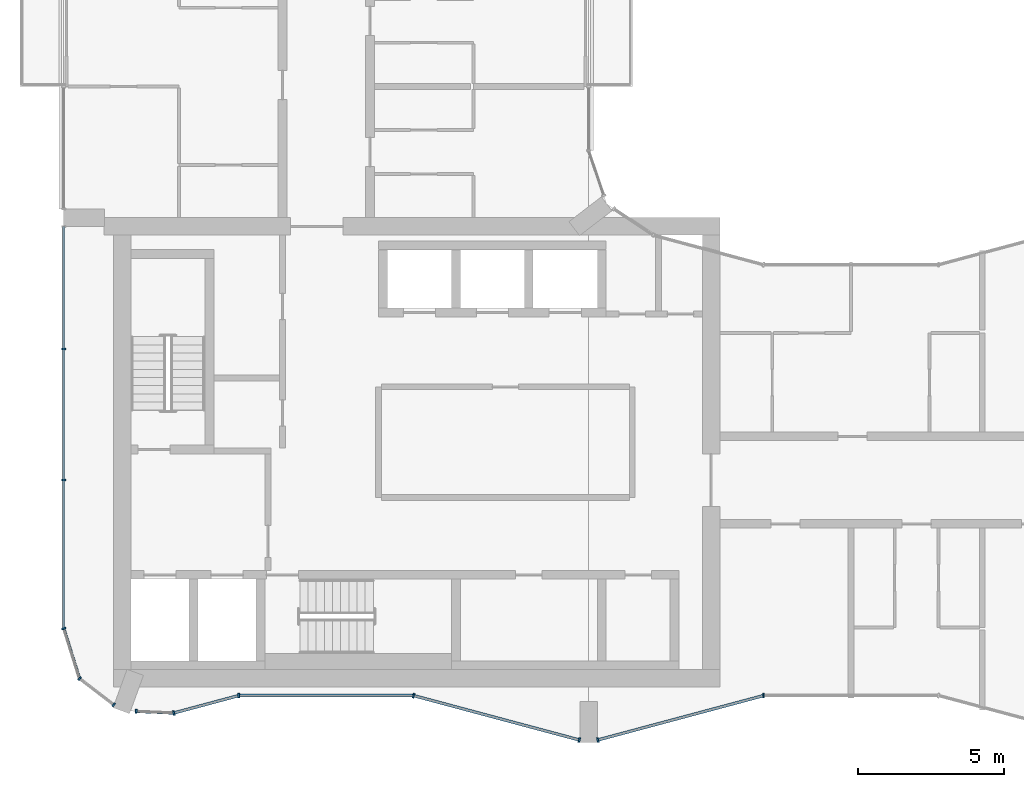
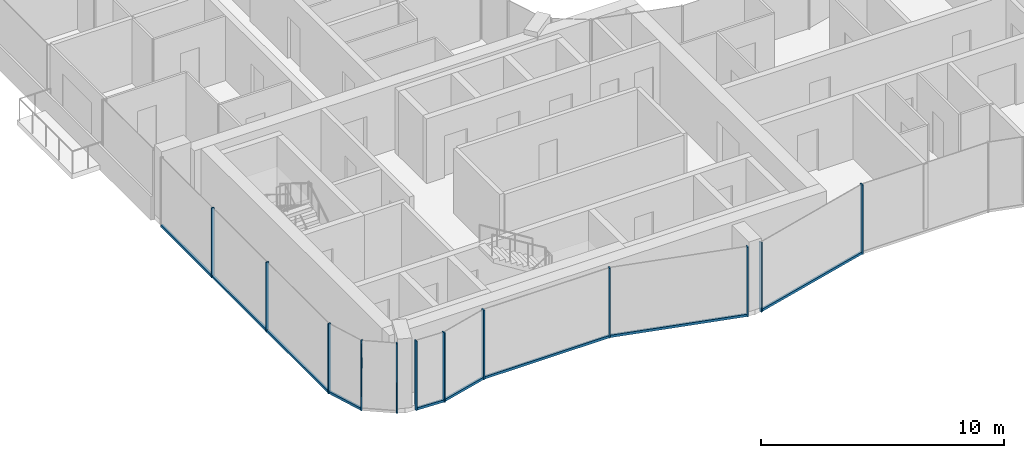
# One storey, part 2 of 17: 19 members, 9 elements without a shape of their own.
"""IFC4 building model written with IfcOpenShell, lengths in metres."""

from ifc_helpers import new_model, si_unit, direction, frame, origin, origin_2d, place, context, subcontext, project, spatial, rectangle, extrude, material, layer, layer_set, material_profile, profile_set, type_object, element, aggregate, save


model = new_model("IFC4")

# Units and contexts
model_context = context("Model", 3, precision=1e-05, world=origin(), true_north=direction((0.0, 1.0)))
body_context = subcontext(model_context, "Body", "Model", "MODEL_VIEW")
ifc_project = project(units=[si_unit("LENGTHUNIT", "METRE"), si_unit("AREAUNIT", "SQUARE_METRE"), si_unit("VOLUMEUNIT", "CUBIC_METRE"), si_unit("PLANEANGLEUNIT", "RADIAN"), si_unit("MASSUNIT", "GRAM", prefix="KILO")], contexts=[model_context])

# Site, building, storey
site_placement = place(None, origin())
site = spatial("IfcSite", under=ifc_project, at=site_placement, CompositionType="ELEMENT")
building_placement = place(site_placement, origin())
building = spatial("IfcBuilding", under=site, at=building_placement, Name="Plateau Cross Towers", CompositionType="ELEMENT")
storey_placement = place(building_placement, frame((0.0, 0.0, 142.89990234375)))
storey = spatial("IfcBuildingStorey", under=building, at=storey_placement, Name="L36", CompositionType="ELEMENT", Elevation=142.89990234375)

# Curtain wall, members
ifc_material_1 = material(Name="Dark low-iron glass", Category="glass")
ifc_layer_1 = layer(ifc_material_1, 0.239990234375)
ifc_layer_set_1 = layer_set([ifc_layer_1], Name="Dark low-iron glass")
curtain_wall_type_1 = type_object("IfcCurtainWallType", Name="Curtain wall flush unitised CW-B", PredefinedType="NOTDEFINED", material=ifc_layer_set_1)
curtain_wall_1_placement = place(storey_placement, origin())
curtain_wall_1 = element("IfcCurtainWall", 1, at=curtain_wall_1_placement, inside=storey, type_object=curtain_wall_type_1, Name="ENV/A/L36/A0_177", PredefinedType="NOTDEFINED")
ifc_material_2 = material(Name="Black anodised aluminium", Category="aluminium")
ifc_material_profile_1 = material_profile(ifc_material_2, rectangle(XDim=0.06005859375, YDim=0.139892578125, at=origin_2d()), Name="MULLION 60x140")
ifc_profile_set_1 = profile_set([ifc_material_profile_1], Name="Black anodised aluminium")
member_type_1 = type_object("IfcMemberType", Name="Mullion 60x140 flush unitised", PredefinedType="MULLION", material=ifc_profile_set_1)
member_1_placement = place(storey_placement, frame((0.0, 13.5, -0.25), z_axis=(0.0, 0.0, 1.0), x_axis=(0.0, -1.0, 0.0)))
member_1 = element("IfcMember", 2, at=member_1_placement, type_object=member_type_1, Name="CW-B mullion 2", PredefinedType="MULLION", context=body_context, shape_type="SweptSolid", body=[
    extrude(rectangle(XDim=0.06005859375, YDim=0.139892578125, at=origin_2d()), origin(), (0.0, 0.0, 1.0), 3.5),
])
member_2_placement = place(storey_placement, frame((0.0, 9.0, -0.25), z_axis=(0.0, 0.0, 1.0), x_axis=(0.0, -1.0, 0.0)))
member_2 = element("IfcMember", 3, at=member_2_placement, type_object=member_type_1, Name="CW-B mullion 3", PredefinedType="MULLION", context=body_context, shape_type="SweptSolid", body=[
    extrude(rectangle(XDim=0.06005859375, YDim=0.139892578125, at=origin_2d()), origin(), (0.0, 0.0, 1.0), 3.5),
])

# Curtain wall, member
curtain_wall_2_placement = place(storey_placement, origin())
curtain_wall_2 = element("IfcCurtainWall", 4, at=curtain_wall_2_placement, inside=storey, type_object=curtain_wall_type_1, Name="ENV/A/L36/A0_39", PredefinedType="NOTDEFINED")
member_3_placement = place(storey_placement, frame((0.0, 3.9091796875, -0.25), z_axis=(0.0, 0.0, 1.0), x_axis=(0.300686174994, -0.95372313811, 0.0)))
member_3 = element("IfcMember", 5, at=member_3_placement, type_object=member_type_1, Name="CW-B mullion 1", PredefinedType="MULLION", context=body_context, shape_type="SweptSolid", body=[
    extrude(rectangle(XDim=0.06005859375, YDim=0.139892578125, at=origin_2d()), origin(), (0.0, 0.0, 1.0), 3.5),
])

# Curtain wall, members
curtain_wall_3_placement = place(storey_placement, origin())
curtain_wall_3 = element("IfcCurtainWall", 6, at=curtain_wall_3_placement, inside=storey, type_object=curtain_wall_type_1, Name="ENV/A/L36/A5_22", PredefinedType="NOTDEFINED")
member_4_placement = place(storey_placement, frame((0.54248046875, 2.1884765625, -0.25), z_axis=(0.0, 0.0, 1.0), x_axis=(0.793315514529, -0.608810721331, 0.0)))
member_4 = element("IfcMember", 7, at=member_4_placement, type_object=member_type_1, Name="CW-B mullion 1", PredefinedType="MULLION", context=body_context, shape_type="SweptSolid", body=[
    extrude(rectangle(XDim=0.06005859375, YDim=0.139892578125, at=origin_2d()), origin(), (0.0, 0.0, 1.0), 3.5),
])
member_5_placement = place(storey_placement, frame((1.709716796875, 1.292724609375, -0.25), z_axis=(0.0, 0.0, 1.0), x_axis=(0.793315514529, -0.608810721331, 0.0)))
member_5 = element("IfcMember", 8, at=member_5_placement, type_object=member_type_1, Name="CW-B mullion 2", PredefinedType="MULLION", context=body_context, shape_type="SweptSolid", body=[
    extrude(rectangle(XDim=0.06005859375, YDim=0.139892578125, at=origin_2d()), origin(), (0.0, 0.0, 1.0), 3.5),
])
aggregate(curtain_wall_3, [member_4, member_5])

# Curtain wall, member
curtain_wall_4_placement = place(storey_placement, origin())
curtain_wall_4 = element("IfcCurtainWall", 9, at=curtain_wall_4_placement, inside=storey, type_object=curtain_wall_type_1, Name="ENV/A/L36/A25_11", PredefinedType="NOTDEFINED")
member_6_placement = place(storey_placement, frame((2.483642578125, 1.06787109375, -0.25), z_axis=(0.0, 0.0, 1.0), x_axis=(0.999043701491, -0.043722791671, 0.0)))
member_6 = element("IfcMember", 10, at=member_6_placement, type_object=member_type_1, Name="CW-B mullion 1", PredefinedType="MULLION", context=body_context, shape_type="SweptSolid", body=[
    extrude(rectangle(XDim=0.06005859375, YDim=0.139892578125, at=origin_2d()), origin(), (0.0, 0.0, 1.0), 3.5),
])

ifc_layer_2 = layer(ifc_material_1, 0.260009765625)
ifc_layer_set_2 = layer_set([ifc_layer_2], Name="Dark low-iron glass")
curtain_wall_type_2 = type_object("IfcCurtainWallType", Name="Curtain wall fluted unitised CW-A", PredefinedType="NOTDEFINED", material=ifc_layer_set_2)
curtain_wall_5_placement = place(storey_placement, origin())
curtain_wall_5 = element("IfcCurtainWall", 11, at=curtain_wall_5_placement, inside=storey, type_object=curtain_wall_type_2, Name="ENV/A/L36/A38_10", PredefinedType="NOTDEFINED")
ifc_material_profile_2 = material_profile(ifc_material_2, rectangle(XDim=0.06005859375, YDim=0.159912109375, at=origin_2d()), Name="MULLION 60x160")
ifc_profile_set_2 = profile_set([ifc_material_profile_2], Name="Black anodised aluminium")
member_type_2 = type_object("IfcMemberType", Name="Mullion 60x160 fluted unitised", PredefinedType="MULLION", material=ifc_profile_set_2)
member_7_placement = place(storey_placement, frame((3.776123046875, 1.01123046875, -0.25), z_axis=(0.0, 0.0, 1.0), x_axis=(0.965957962328, 0.258699081978, 0.0)))
member_7 = element("IfcMember", 12, at=member_7_placement, type_object=member_type_2, Name="CW-A mullion 1", PredefinedType="MULLION", context=body_context, shape_type="SweptSolid", body=[
    extrude(rectangle(XDim=0.06005859375, YDim=0.159912109375, at=origin_2d()), origin(), (0.0, 0.0, 1.0), 3.5),
])

curtain_wall_6_placement = place(storey_placement, origin())
curtain_wall_6 = element("IfcCurtainWall", 13, at=curtain_wall_6_placement, inside=storey, type_object=curtain_wall_type_2, Name="ENV/A/L36/A60_16", PredefinedType="NOTDEFINED")
member_8_placement = place(storey_placement, frame((6.0, 1.60693359375, -0.25), z_axis=(0.0, 0.0, 1.0), x_axis=(1.0, 0.0, 0.0)))
member_8 = element("IfcMember", 14, at=member_8_placement, type_object=member_type_2, Name="CW-A mullion 1", PredefinedType="MULLION", context=body_context, shape_type="SweptSolid", body=[
    extrude(rectangle(XDim=0.06005859375, YDim=0.159912109375, at=origin_2d()), origin(), (0.0, 0.0, 1.0), 3.5),
])

# Curtain wall, members
curtain_wall_7_placement = place(storey_placement, origin())
curtain_wall_7 = element("IfcCurtainWall", 15, at=curtain_wall_7_placement, inside=storey, type_object=curtain_wall_type_2, Name="ENV/A/L36/A120_16", PredefinedType="NOTDEFINED")
member_9_placement = place(storey_placement, frame((12.0, 1.60693359375, -0.25), z_axis=(0.0, 0.0, 1.0), x_axis=(0.965957983404, -0.258699003279, 0.0)))
member_9 = element("IfcMember", 16, at=member_9_placement, type_object=member_type_2, Name="CW-A mullion 1", PredefinedType="MULLION", context=body_context, shape_type="SweptSolid", body=[
    extrude(rectangle(XDim=0.06005859375, YDim=0.159912109375, at=origin_2d()), origin(), (0.0, 0.0, 1.0), 3.5),
])
member_10_placement = place(storey_placement, frame((17.68212890625, 0.085205078125, -0.25), z_axis=(0.0, 0.0, 1.0), x_axis=(0.965957983404, -0.258699003279, 0.0)))
member_10 = element("IfcMember", 17, at=member_10_placement, type_object=member_type_2, Name="CW-A mullion 2", PredefinedType="MULLION", context=body_context, shape_type="SweptSolid", body=[
    extrude(rectangle(XDim=0.06005859375, YDim=0.159912109375, at=origin_2d()), origin(), (0.0, 0.0, 1.0), 3.5),
])

# Curtain wall, member
curtain_wall_8_placement = place(storey_placement, origin())
curtain_wall_8 = element("IfcCurtainWall", 18, at=curtain_wall_8_placement, inside=storey, type_object=curtain_wall_type_2, Name="ENV/A/L36/A183_1", PredefinedType="NOTDEFINED")
member_11_placement = place(storey_placement, frame((18.31787109375, 0.085205078125, -0.25), z_axis=(0.0, 0.0, 1.0), x_axis=(0.965957983404, 0.258699003279, 0.0)))
member_11 = element("IfcMember", 19, at=member_11_placement, type_object=member_type_2, Name="CW-A mullion 1", PredefinedType="MULLION", context=body_context, shape_type="SweptSolid", body=[
    extrude(rectangle(XDim=0.06005859375, YDim=0.159912109375, at=origin_2d()), origin(), (0.0, 0.0, 1.0), 3.5),
])

curtain_wall_9_placement = place(storey_placement, origin())
curtain_wall_9 = element("IfcCurtainWall", 20, at=curtain_wall_9_placement, inside=storey, type_object=curtain_wall_type_2, Name="ENV/A/L36/A240_16", PredefinedType="NOTDEFINED")
member_12_placement = place(storey_placement, frame((24.0, 1.60693359375, -0.25), z_axis=(0.0, 0.0, 1.0), x_axis=(1.0, 0.0, 0.0)))
member_12 = element("IfcMember", 21, at=member_12_placement, type_object=member_type_2, Name="CW-A mullion 1", PredefinedType="MULLION", context=body_context, shape_type="SweptSolid", body=[
    extrude(rectangle(XDim=0.06005859375, YDim=0.159912109375, at=origin_2d()), origin(), (0.0, 0.0, 1.0), 3.5),
])
aggregate(curtain_wall_9, [member_12])

# Member
ifc_material_profile_3 = material_profile(ifc_material_2, rectangle(XDim=0.10009765625, YDim=0.1201171875, at=origin_2d()), Name="TRANSOM 100x120")
ifc_profile_set_3 = profile_set([ifc_material_profile_3], Name="Black anodised aluminium")
member_type_3 = type_object("IfcMemberType", Name="Transom 100x120 flush unitised", PredefinedType="USERDEFINED", material=ifc_profile_set_3)
member_13_placement = place(storey_placement, frame((0.0, 17.699951171875, -0.18994140625), z_axis=(0.0, -1.0, 0.0), x_axis=(1.0, 0.0, 0.0)))
member_13 = element("IfcMember", 22, at=member_13_placement, type_object=member_type_3, Name="CW-B transom", ObjectType="TRANSOM", PredefinedType="USERDEFINED", context=body_context, shape_type="SweptSolid", body=[
    extrude(rectangle(XDim=0.10009765625, YDim=0.1201171875, at=origin_2d()), origin(), (0.0, 0.0, 1.0), 13.790771484375),
])

aggregate(curtain_wall_1, [member_1, member_2, member_13])

member_14_placement = place(storey_placement, frame((0.0, 3.9091796875, -0.18994140625), z_axis=(0.30067799945, -0.953725715626, 0.0), x_axis=(0.953725715626, 0.30067799945, 0.0)))
member_14 = element("IfcMember", 23, at=member_14_placement, type_object=member_type_3, Name="CW-B transom", ObjectType="TRANSOM", PredefinedType="USERDEFINED", context=body_context, shape_type="SweptSolid", body=[
    extrude(rectangle(XDim=0.10009765625, YDim=0.1201171875, at=origin_2d()), origin(), (0.0, 0.0, 1.0), 1.80419921875),
])

aggregate(curtain_wall_2, [member_3, member_14])

member_15_placement = place(storey_placement, frame((2.483642578125, 1.06787109375, -0.18994140625), z_axis=(0.999041144614, -0.043781175963, 0.0), x_axis=(0.043781175963, 0.999041144614, 0.0)))
member_15 = element("IfcMember", 24, at=member_15_placement, type_object=member_type_3, Name="CW-B transom", ObjectType="TRANSOM", PredefinedType="USERDEFINED", context=body_context, shape_type="SweptSolid", body=[
    extrude(rectangle(XDim=0.10009765625, YDim=0.1201171875, at=origin_2d()), origin(), (0.0, 0.0, 1.0), 1.293701171875),
])

aggregate(curtain_wall_4, [member_6, member_15])

ifc_material_profile_4 = material_profile(ifc_material_2, rectangle(XDim=0.10009765625, YDim=0.1201171875, at=origin_2d()), Name="TRANSOM 100x120")
ifc_profile_set_4 = profile_set([ifc_material_profile_4], Name="Black anodised aluminium")
member_type_4 = type_object("IfcMemberType", Name="Transom 100x120 fluted unitised", PredefinedType="USERDEFINED", material=ifc_profile_set_4)
member_16_placement = place(storey_placement, frame((3.776123046875, 1.01123046875, -0.18994140625), z_axis=(0.965945685136, 0.258744919501, 0.0), x_axis=(-0.258744919501, 0.965945685136, 0.0)))
member_16 = element("IfcMember", 25, at=member_16_placement, type_object=member_type_4, Name="CW-A transom", ObjectType="TRANSOM", PredefinedType="USERDEFINED", context=body_context, shape_type="SweptSolid", body=[
    extrude(rectangle(XDim=0.10009765625, YDim=0.1201171875, at=origin_2d()), origin(), (0.0, 0.0, 1.0), 2.30224609375),
])

aggregate(curtain_wall_5, [member_7, member_16])

member_17_placement = place(storey_placement, frame((6.0, 1.60693359375, -0.18994140625), z_axis=(1.0, 0.0, 0.0), x_axis=(0.0, 1.0, 0.0)))
member_17 = element("IfcMember", 26, at=member_17_placement, type_object=member_type_4, Name="CW-A transom", ObjectType="TRANSOM", PredefinedType="USERDEFINED", context=body_context, shape_type="SweptSolid", body=[
    extrude(rectangle(XDim=0.10009765625, YDim=0.1201171875, at=origin_2d()), origin(), (0.0, 0.0, 1.0), 6.0),
])

aggregate(curtain_wall_6, [member_8, member_17])

member_18_placement = place(storey_placement, frame((12.0, 1.60693359375, -0.18994140625), z_axis=(0.965959534794, -0.258693210465, 0.0), x_axis=(0.258693210465, 0.965959534794, 0.0)))
member_18 = element("IfcMember", 27, at=member_18_placement, type_object=member_type_4, Name="CW-A transom", ObjectType="TRANSOM", PredefinedType="USERDEFINED", context=body_context, shape_type="SweptSolid", body=[
    extrude(rectangle(XDim=0.10009765625, YDim=0.1201171875, at=origin_2d()), origin(), (0.0, 0.0, 1.0), 5.88232421875),
])

aggregate(curtain_wall_7, [member_9, member_10, member_18])

member_19_placement = place(storey_placement, frame((18.31787109375, 0.085205078125, -0.18994140625), z_axis=(0.965959534794, 0.258693210465, 0.0), x_axis=(-0.258693210465, 0.965959534794, 0.0)))
member_19 = element("IfcMember", 28, at=member_19_placement, type_object=member_type_4, Name="CW-A transom", ObjectType="TRANSOM", PredefinedType="USERDEFINED", context=body_context, shape_type="SweptSolid", body=[
    extrude(rectangle(XDim=0.10009765625, YDim=0.1201171875, at=origin_2d()), origin(), (0.0, 0.0, 1.0), 5.88232421875),
])

aggregate(curtain_wall_8, [member_11, member_19])

save(model, "model.ifc")
